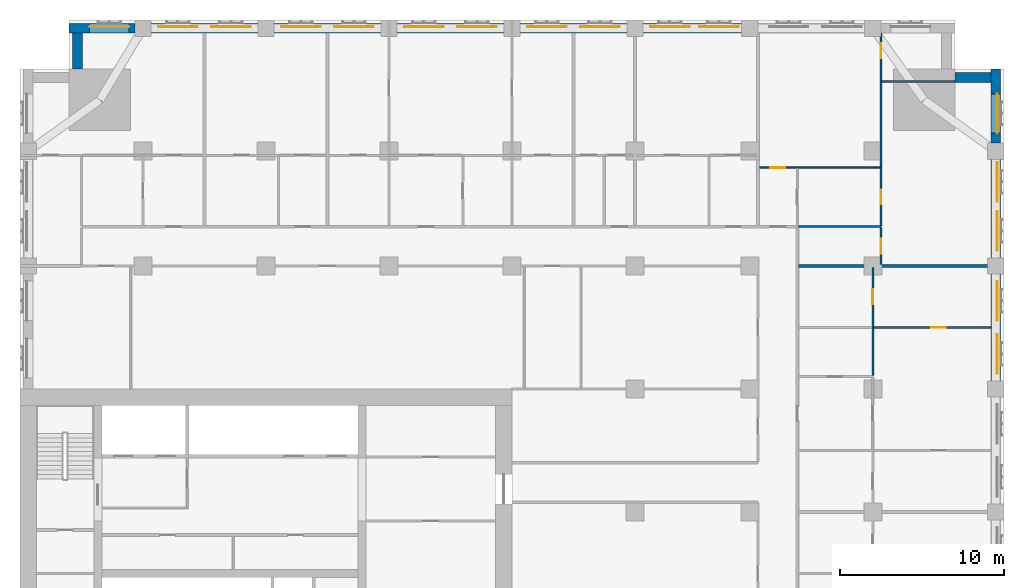
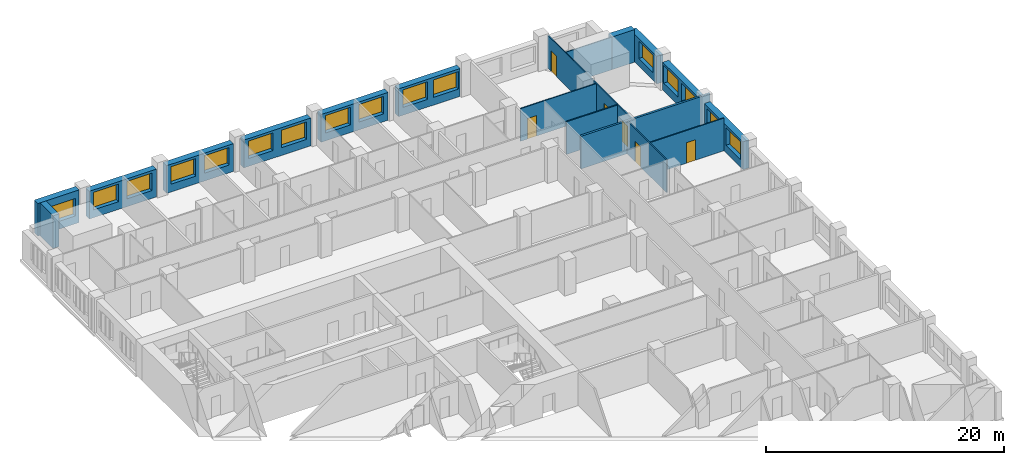
# One storey, part 11 of 14: 19 walls, 16 windows, 6 doors, 22 openings.
"""IFC4 building model written with IfcOpenShell, lengths in metres."""

from ifc_helpers import new_model, si_unit, direction, frame, frame_2d, origin, place, context, subcontext, project, spatial, rectangle, extrude, material, layer, layer_set, type_object, element, fill, save


model = new_model("IFC4")

# Units and contexts
model_context = context("Model", 3, precision=1e-05, world=origin(), true_north=direction((0.0, 1.0)))
body_context = subcontext(model_context, "Body", "Model", "MODEL_VIEW")
ifc_project = project(units=[si_unit("LENGTHUNIT", "METRE"), si_unit("AREAUNIT", "SQUARE_METRE"), si_unit("VOLUMEUNIT", "CUBIC_METRE"), si_unit("PLANEANGLEUNIT", "RADIAN"), si_unit("MASSUNIT", "GRAM", prefix="KILO")], contexts=[model_context])

# Site, building, storey
site_placement = place(None, origin())
site = spatial("IfcSite", under=ifc_project, at=site_placement, CompositionType="ELEMENT")
building_placement = place(site_placement, origin())
building = spatial("IfcBuilding", under=site, at=building_placement, Name="Tamorin Gate", CompositionType="ELEMENT")
storey_placement = place(building_placement, frame((0.0, 0.0, 104.300048828125)))
storey = spatial("IfcBuildingStorey", under=building, at=storey_placement, Name="L25", CompositionType="ELEMENT", Elevation=104.300048828125)

# Wall, openings, windows
ifc_material_1 = material(Name="Precast concrete C40/50", Category="concrete")
ifc_layer_1 = layer(ifc_material_1, 0.60009765625)
ifc_layer_set_1 = layer_set([ifc_layer_1], Name="Precast concrete C40/50")
wall_type_1 = type_object("IfcWallType", Name="Board-marked concrete facade panel 600", PredefinedType="SOLIDWALL", material=ifc_layer_set_1)
wall_1_placement = place(storey_placement, frame((89.5, 83.0, 0.0), z_axis=(0.0, 0.0, 1.0), x_axis=(0.0, 1.0, 0.0)))
wall_1 = element("IfcWall", 1, at=wall_1_placement, inside=storey, type_object=wall_type_1, Name="Facade panel", PredefinedType="SOLIDWALL", context=body_context, shape_type="SweptSolid", body=[
    extrude(rectangle(XDim=6.5, YDim=0.60009765625, at=frame_2d((3.25, 0.0))), origin(), (0.0, 0.0, 1.0), 2.849853515625),
])
opening_1_placement = place(wall_1_placement, frame((0.425048828125, 0.0, 0.800048828125)))
opening_1 = element("IfcOpeningElement", 2, at=opening_1_placement, cuts=wall_1, Name="Opening WN1", PredefinedType="OPENING", context=body_context, shape_type="SweptSolid", body=[
    extrude(rectangle(XDim=2.39990234375, YDim=1.800048828125, at=frame_2d((1.199951171875, 0.89990234375))), frame((0.0, 0.31005859375, 0.0), z_axis=(0.0, -1.0, 0.0), x_axis=(1.0, 0.0, 0.0)), (0.0, 0.0, 1.0), 0.6201171875),
])
opening_2_placement = place(wall_1_placement, frame((3.675048828125, 0.0, 0.800048828125)))
opening_2 = element("IfcOpeningElement", 3, at=opening_2_placement, cuts=wall_1, Name="Opening WN1", PredefinedType="OPENING", context=body_context, shape_type="SweptSolid", body=[
    extrude(rectangle(XDim=2.39990234375, YDim=1.800048828125, at=frame_2d((1.199951171875, 0.89990234375))), frame((0.0, 0.31005859375, 0.0), z_axis=(0.0, -1.0, 0.0), x_axis=(1.0, 0.0, 0.0)), (0.0, 0.0, 1.0), 0.6201171875),
])
ifc_material_2 = material(Name="Clear glass in aluminium frame", Category="aluminium")
window_type = type_object("IfcWindowType", Name="Deep-set window 2400x1800", PartitioningType="SINGLE_PANEL", PredefinedType="WINDOW", material=ifc_material_2)
window_1_placement = place(opening_1_placement, origin())
window_1 = element("IfcWindow", 4, at=window_1_placement, inside=storey, type_object=window_type, Name="Deep-set window", OverallHeight=1.800048828125, OverallWidth=2.39990234375, PartitioningType="SINGLE_PANEL", PredefinedType="WINDOW", context=body_context, shape_type="SweptSolid", body=[
    extrude(rectangle(XDim=2.39990234375, YDim=1.800048828125, at=frame_2d((1.199951171875, 0.89990234375))), frame((0.0, -0.070068359375, 0.0), z_axis=(0.0, -1.0, 0.0), x_axis=(1.0, 0.0, 0.0)), (0.0, 0.0, 1.0), 0.06005859375),
])
fill(opening_1, window_1)
window_2_placement = place(opening_2_placement, origin())
window_2 = element("IfcWindow", 5, at=window_2_placement, inside=storey, type_object=window_type, Name="Deep-set window", OverallHeight=1.800048828125, OverallWidth=2.39990234375, PartitioningType="SINGLE_PANEL", PredefinedType="WINDOW", context=body_context, shape_type="SweptSolid", body=[
    extrude(rectangle(XDim=2.39990234375, YDim=1.800048828125, at=frame_2d((1.199951171875, 0.89990234375))), frame((0.0, -0.070068359375, 0.0), z_axis=(0.0, -1.0, 0.0), x_axis=(1.0, 0.0, 0.0)), (0.0, 0.0, 1.0), 0.06005859375),
])
fill(opening_2, window_2)

wall_2_placement = place(storey_placement, frame((89.5, 90.5, 0.0), z_axis=(0.0, 0.0, 1.0), x_axis=(0.0, 1.0, 0.0)))
wall_2 = element("IfcWall", 6, at=wall_2_placement, inside=storey, type_object=wall_type_1, Name="Facade panel", PredefinedType="SOLIDWALL", context=body_context, shape_type="SweptSolid", body=[
    extrude(rectangle(XDim=6.0, YDim=0.60009765625, at=frame_2d((3.0, 0.0))), origin(), (0.0, 0.0, 1.0), 2.849853515625),
])
opening_3_placement = place(wall_2_placement, frame((0.425048828125, 0.0, 0.800048828125)))
opening_3 = element("IfcOpeningElement", 7, at=opening_3_placement, cuts=wall_2, Name="Opening WN1", PredefinedType="OPENING", context=body_context, shape_type="SweptSolid", body=[
    extrude(rectangle(XDim=2.39990234375, YDim=1.800048828125, at=frame_2d((1.199951171875, 0.89990234375))), frame((0.0, 0.31005859375, 0.0), z_axis=(0.0, -1.0, 0.0), x_axis=(1.0, 0.0, 0.0)), (0.0, 0.0, 1.0), 0.6201171875),
])
opening_4_placement = place(wall_2_placement, frame((3.425048828125, 0.0, 0.800048828125)))
opening_4 = element("IfcOpeningElement", 8, at=opening_4_placement, cuts=wall_2, Name="Opening WN1", PredefinedType="OPENING", context=body_context, shape_type="SweptSolid", body=[
    extrude(rectangle(XDim=2.39990234375, YDim=1.800048828125, at=frame_2d((1.199951171875, 0.89990234375))), frame((0.0, 0.31005859375, 0.0), z_axis=(0.0, -1.0, 0.0), x_axis=(1.0, 0.0, 0.0)), (0.0, 0.0, 1.0), 0.6201171875),
])
window_3_placement = place(opening_3_placement, origin())
window_3 = element("IfcWindow", 9, at=window_3_placement, inside=storey, type_object=window_type, Name="Deep-set window", OverallHeight=1.800048828125, OverallWidth=2.39990234375, PartitioningType="SINGLE_PANEL", PredefinedType="WINDOW", context=body_context, shape_type="SweptSolid", body=[
    extrude(rectangle(XDim=2.39990234375, YDim=1.800048828125, at=frame_2d((1.199951171875, 0.89990234375))), frame((0.0, -0.070068359375, 0.0), z_axis=(0.0, -1.0, 0.0), x_axis=(1.0, 0.0, 0.0)), (0.0, 0.0, 1.0), 0.06005859375),
])
fill(opening_3, window_3)
window_4_placement = place(opening_4_placement, origin())
window_4 = element("IfcWindow", 10, at=window_4_placement, inside=storey, type_object=window_type, Name="Deep-set window", OverallHeight=1.800048828125, OverallWidth=2.39990234375, PartitioningType="SINGLE_PANEL", PredefinedType="WINDOW", context=body_context, shape_type="SweptSolid", body=[
    extrude(rectangle(XDim=2.39990234375, YDim=1.800048828125, at=frame_2d((1.199951171875, 0.89990234375))), frame((0.0, -0.070068359375, 0.0), z_axis=(0.0, -1.0, 0.0), x_axis=(1.0, 0.0, 0.0)), (0.0, 0.0, 1.0), 0.06005859375),
])
fill(opening_4, window_4)

# Wall, opening, window
wall_3_placement = place(storey_placement, frame((89.5, 97.5, 0.0), z_axis=(0.0, 0.0, 1.0), x_axis=(0.0, 1.0, 0.0)))
wall_3 = element("IfcWall", 11, at=wall_3_placement, inside=storey, type_object=wall_type_1, Name="Facade panel", PredefinedType="SOLIDWALL", context=body_context, shape_type="SweptSolid", body=[
    extrude(rectangle(XDim=4.5, YDim=0.60009765625, at=frame_2d((2.25, 0.0))), origin(), (0.0, 0.0, 1.0), 2.849853515625),
])
opening_5_placement = place(wall_3_placement, frame((0.60009765625, 0.0, 0.800048828125)))
opening_5 = element("IfcOpeningElement", 12, at=opening_5_placement, cuts=wall_3, Name="Opening WN1", PredefinedType="OPENING", context=body_context, shape_type="SweptSolid", body=[
    extrude(rectangle(XDim=2.39990234375, YDim=1.800048828125, at=frame_2d((1.199951171875, 0.89990234375))), frame((0.0, 0.31005859375, 0.0), z_axis=(0.0, -1.0, 0.0), x_axis=(1.0, 0.0, 0.0)), (0.0, 0.0, 1.0), 0.6201171875),
])
window_5_placement = place(opening_5_placement, origin())
window_5 = element("IfcWindow", 13, at=window_5_placement, inside=storey, type_object=window_type, Name="Deep-set window", OverallHeight=1.800048828125, OverallWidth=2.39990234375, PartitioningType="SINGLE_PANEL", PredefinedType="WINDOW", context=body_context, shape_type="SweptSolid", body=[
    extrude(rectangle(XDim=2.39990234375, YDim=1.800048828125, at=frame_2d((1.199951171875, 0.89990234375))), frame((0.0, -0.070068359375, 0.0), z_axis=(0.0, -1.0, 0.0), x_axis=(1.0, 0.0, 0.0)), (0.0, 0.0, 1.0), 0.06005859375),
])
fill(opening_5, window_5)

# Wall
wall_4_placement = place(storey_placement, frame((89.199951171875, 101.5, 0.0), z_axis=(0.0, 0.0, 1.0), x_axis=(-1.0, 0.0, 0.0)))
element("IfcWall", 14, at=wall_4_placement, inside=storey, type_object=wall_type_1, Name="Facade panel", PredefinedType="SOLIDWALL", context=body_context, shape_type="SweptSolid", body=[
    extrude(rectangle(XDim=2.199951171875, YDim=0.60009765625, at=frame_2d((1.10009765625, 0.0))), origin(), (0.0, 0.0, 1.0), 3.349853515625),
])

# Wall, openings, windows
wall_5_placement = place(storey_placement, frame((74.0, 104.5, 0.0), z_axis=(0.0, 0.0, 1.0), x_axis=(-1.0, 0.0, 0.0)))
wall_5 = element("IfcWall", 15, at=wall_5_placement, inside=storey, type_object=wall_type_1, Name="Facade panel", PredefinedType="SOLIDWALL", context=body_context, shape_type="SweptSolid", body=[
    extrude(rectangle(XDim=6.0, YDim=0.60009765625, at=frame_2d((3.0, 0.0))), origin(), (0.0, 0.0, 1.0), 2.849853515625),
])
opening_6_placement = place(wall_5_placement, frame((3.175048828125, 0.0, 0.800048828125)))
opening_6 = element("IfcOpeningElement", 16, at=opening_6_placement, cuts=wall_5, Name="Opening WN1", PredefinedType="OPENING", context=body_context, shape_type="SweptSolid", body=[
    extrude(rectangle(XDim=2.39990234375, YDim=1.800048828125, at=frame_2d((1.199951171875, 0.89990234375))), frame((0.0, 0.31005859375, 0.0), z_axis=(0.0, -1.0, 0.0), x_axis=(1.0, 0.0, 0.0)), (0.0, 0.0, 1.0), 0.6201171875),
])
opening_7_placement = place(wall_5_placement, frame((0.175048828125, 0.0, 0.800048828125)))
opening_7 = element("IfcOpeningElement", 17, at=opening_7_placement, cuts=wall_5, Name="Opening WN1", PredefinedType="OPENING", context=body_context, shape_type="SweptSolid", body=[
    extrude(rectangle(XDim=2.39990234375, YDim=1.800048828125, at=frame_2d((1.199951171875, 0.89990234375))), frame((0.0, 0.31005859375, 0.0), z_axis=(0.0, -1.0, 0.0), x_axis=(1.0, 0.0, 0.0)), (0.0, 0.0, 1.0), 0.6201171875),
])
window_6_placement = place(opening_6_placement, origin())
window_6 = element("IfcWindow", 18, at=window_6_placement, inside=storey, type_object=window_type, Name="Deep-set window", OverallHeight=1.800048828125, OverallWidth=2.39990234375, PartitioningType="SINGLE_PANEL", PredefinedType="WINDOW", context=body_context, shape_type="SweptSolid", body=[
    extrude(rectangle(XDim=2.39990234375, YDim=1.800048828125, at=frame_2d((1.199951171875, 0.89990234375))), frame((0.0, -0.070068359375, 0.0), z_axis=(0.0, -1.0, 0.0), x_axis=(1.0, 0.0, 0.0)), (0.0, 0.0, 1.0), 0.06005859375),
])
fill(opening_6, window_6)
window_7_placement = place(opening_7_placement, origin())
window_7 = element("IfcWindow", 19, at=window_7_placement, inside=storey, type_object=window_type, Name="Deep-set window", OverallHeight=1.800048828125, OverallWidth=2.39990234375, PartitioningType="SINGLE_PANEL", PredefinedType="WINDOW", context=body_context, shape_type="SweptSolid", body=[
    extrude(rectangle(XDim=2.39990234375, YDim=1.800048828125, at=frame_2d((1.199951171875, 0.89990234375))), frame((0.0, -0.070068359375, 0.0), z_axis=(0.0, -1.0, 0.0), x_axis=(1.0, 0.0, 0.0)), (0.0, 0.0, 1.0), 0.06005859375),
])
fill(opening_7, window_7)

wall_6_placement = place(storey_placement, frame((67.0, 104.5, 0.0), z_axis=(0.0, 0.0, 1.0), x_axis=(-1.0, 0.0, 0.0)))
wall_6 = element("IfcWall", 20, at=wall_6_placement, inside=storey, type_object=wall_type_1, Name="Facade panel", PredefinedType="SOLIDWALL", context=body_context, shape_type="SweptSolid", body=[
    extrude(rectangle(XDim=6.5, YDim=0.60009765625, at=frame_2d((3.25, 0.0))), origin(), (0.0, 0.0, 1.0), 2.849853515625),
])
opening_8_placement = place(wall_6_placement, frame((3.675048828125, 0.0, 0.800048828125)))
opening_8 = element("IfcOpeningElement", 21, at=opening_8_placement, cuts=wall_6, Name="Opening WN1", PredefinedType="OPENING", context=body_context, shape_type="SweptSolid", body=[
    extrude(rectangle(XDim=2.39990234375, YDim=1.800048828125, at=frame_2d((1.199951171875, 0.89990234375))), frame((0.0, 0.31005859375, 0.0), z_axis=(0.0, -1.0, 0.0), x_axis=(1.0, 0.0, 0.0)), (0.0, 0.0, 1.0), 0.6201171875),
])
opening_9_placement = place(wall_6_placement, frame((0.425048828125, 0.0, 0.800048828125)))
opening_9 = element("IfcOpeningElement", 22, at=opening_9_placement, cuts=wall_6, Name="Opening WN1", PredefinedType="OPENING", context=body_context, shape_type="SweptSolid", body=[
    extrude(rectangle(XDim=2.39990234375, YDim=1.800048828125, at=frame_2d((1.199951171875, 0.89990234375))), frame((0.0, 0.31005859375, 0.0), z_axis=(0.0, -1.0, 0.0), x_axis=(1.0, 0.0, 0.0)), (0.0, 0.0, 1.0), 0.6201171875),
])
window_8_placement = place(opening_8_placement, origin())
window_8 = element("IfcWindow", 23, at=window_8_placement, inside=storey, type_object=window_type, Name="Deep-set window", OverallHeight=1.800048828125, OverallWidth=2.39990234375, PartitioningType="SINGLE_PANEL", PredefinedType="WINDOW", context=body_context, shape_type="SweptSolid", body=[
    extrude(rectangle(XDim=2.39990234375, YDim=1.800048828125, at=frame_2d((1.199951171875, 0.89990234375))), frame((0.0, -0.070068359375, 0.0), z_axis=(0.0, -1.0, 0.0), x_axis=(1.0, 0.0, 0.0)), (0.0, 0.0, 1.0), 0.06005859375),
])
fill(opening_8, window_8)
window_9_placement = place(opening_9_placement, origin())
window_9 = element("IfcWindow", 24, at=window_9_placement, inside=storey, type_object=window_type, Name="Deep-set window", OverallHeight=1.800048828125, OverallWidth=2.39990234375, PartitioningType="SINGLE_PANEL", PredefinedType="WINDOW", context=body_context, shape_type="SweptSolid", body=[
    extrude(rectangle(XDim=2.39990234375, YDim=1.800048828125, at=frame_2d((1.199951171875, 0.89990234375))), frame((0.0, -0.070068359375, 0.0), z_axis=(0.0, -1.0, 0.0), x_axis=(1.0, 0.0, 0.0)), (0.0, 0.0, 1.0), 0.06005859375),
])
fill(opening_9, window_9)

wall_7_placement = place(storey_placement, frame((59.5, 104.5, 0.0), z_axis=(0.0, 0.0, 1.0), x_axis=(-1.0, 0.0, 0.0)))
wall_7 = element("IfcWall", 25, at=wall_7_placement, inside=storey, type_object=wall_type_1, Name="Facade panel", PredefinedType="SOLIDWALL", context=body_context, shape_type="SweptSolid", body=[
    extrude(rectangle(XDim=6.5, YDim=0.60009765625, at=frame_2d((3.25, 0.0))), origin(), (0.0, 0.0, 1.0), 2.849853515625),
])
opening_10_placement = place(wall_7_placement, frame((3.675048828125, 0.0, 0.800048828125)))
opening_10 = element("IfcOpeningElement", 26, at=opening_10_placement, cuts=wall_7, Name="Opening WN1", PredefinedType="OPENING", context=body_context, shape_type="SweptSolid", body=[
    extrude(rectangle(XDim=2.39990234375, YDim=1.800048828125, at=frame_2d((1.199951171875, 0.89990234375))), frame((0.0, 0.31005859375, 0.0), z_axis=(0.0, -1.0, 0.0), x_axis=(1.0, 0.0, 0.0)), (0.0, 0.0, 1.0), 0.6201171875),
])
opening_11_placement = place(wall_7_placement, frame((0.425048828125, 0.0, 0.800048828125)))
opening_11 = element("IfcOpeningElement", 27, at=opening_11_placement, cuts=wall_7, Name="Opening WN1", PredefinedType="OPENING", context=body_context, shape_type="SweptSolid", body=[
    extrude(rectangle(XDim=2.39990234375, YDim=1.800048828125, at=frame_2d((1.199951171875, 0.89990234375))), frame((0.0, 0.31005859375, 0.0), z_axis=(0.0, -1.0, 0.0), x_axis=(1.0, 0.0, 0.0)), (0.0, 0.0, 1.0), 0.6201171875),
])
window_10_placement = place(opening_10_placement, origin())
window_10 = element("IfcWindow", 28, at=window_10_placement, inside=storey, type_object=window_type, Name="Deep-set window", OverallHeight=1.800048828125, OverallWidth=2.39990234375, PartitioningType="SINGLE_PANEL", PredefinedType="WINDOW", context=body_context, shape_type="SweptSolid", body=[
    extrude(rectangle(XDim=2.39990234375, YDim=1.800048828125, at=frame_2d((1.199951171875, 0.89990234375))), frame((0.0, -0.070068359375, 0.0), z_axis=(0.0, -1.0, 0.0), x_axis=(1.0, 0.0, 0.0)), (0.0, 0.0, 1.0), 0.06005859375),
])
fill(opening_10, window_10)
window_11_placement = place(opening_11_placement, origin())
window_11 = element("IfcWindow", 29, at=window_11_placement, inside=storey, type_object=window_type, Name="Deep-set window", OverallHeight=1.800048828125, OverallWidth=2.39990234375, PartitioningType="SINGLE_PANEL", PredefinedType="WINDOW", context=body_context, shape_type="SweptSolid", body=[
    extrude(rectangle(XDim=2.39990234375, YDim=1.800048828125, at=frame_2d((1.199951171875, 0.89990234375))), frame((0.0, -0.070068359375, 0.0), z_axis=(0.0, -1.0, 0.0), x_axis=(1.0, 0.0, 0.0)), (0.0, 0.0, 1.0), 0.06005859375),
])
fill(opening_11, window_11)

wall_8_placement = place(storey_placement, frame((52.0, 104.5, 0.0), z_axis=(0.0, 0.0, 1.0), x_axis=(-1.0, 0.0, 0.0)))
wall_8 = element("IfcWall", 30, at=wall_8_placement, inside=storey, type_object=wall_type_1, Name="Facade panel", PredefinedType="SOLIDWALL", context=body_context, shape_type="SweptSolid", body=[
    extrude(rectangle(XDim=6.5, YDim=0.60009765625, at=frame_2d((3.25, 0.0))), origin(), (0.0, 0.0, 1.0), 2.849853515625),
])
opening_12_placement = place(wall_8_placement, frame((3.675048828125, 0.0, 0.800048828125)))
opening_12 = element("IfcOpeningElement", 31, at=opening_12_placement, cuts=wall_8, Name="Opening WN1", PredefinedType="OPENING", context=body_context, shape_type="SweptSolid", body=[
    extrude(rectangle(XDim=2.39990234375, YDim=1.800048828125, at=frame_2d((1.199951171875, 0.89990234375))), frame((0.0, 0.31005859375, 0.0), z_axis=(0.0, -1.0, 0.0), x_axis=(1.0, 0.0, 0.0)), (0.0, 0.0, 1.0), 0.6201171875),
])
opening_13_placement = place(wall_8_placement, frame((0.425048828125, 0.0, 0.800048828125)))
opening_13 = element("IfcOpeningElement", 32, at=opening_13_placement, cuts=wall_8, Name="Opening WN1", PredefinedType="OPENING", context=body_context, shape_type="SweptSolid", body=[
    extrude(rectangle(XDim=2.39990234375, YDim=1.800048828125, at=frame_2d((1.199951171875, 0.89990234375))), frame((0.0, 0.31005859375, 0.0), z_axis=(0.0, -1.0, 0.0), x_axis=(1.0, 0.0, 0.0)), (0.0, 0.0, 1.0), 0.6201171875),
])
window_12_placement = place(opening_12_placement, origin())
window_12 = element("IfcWindow", 33, at=window_12_placement, inside=storey, type_object=window_type, Name="Deep-set window", OverallHeight=1.800048828125, OverallWidth=2.39990234375, PartitioningType="SINGLE_PANEL", PredefinedType="WINDOW", context=body_context, shape_type="SweptSolid", body=[
    extrude(rectangle(XDim=2.39990234375, YDim=1.800048828125, at=frame_2d((1.199951171875, 0.89990234375))), frame((0.0, -0.070068359375, 0.0), z_axis=(0.0, -1.0, 0.0), x_axis=(1.0, 0.0, 0.0)), (0.0, 0.0, 1.0), 0.06005859375),
])
fill(opening_12, window_12)
window_13_placement = place(opening_13_placement, origin())
window_13 = element("IfcWindow", 34, at=window_13_placement, inside=storey, type_object=window_type, Name="Deep-set window", OverallHeight=1.800048828125, OverallWidth=2.39990234375, PartitioningType="SINGLE_PANEL", PredefinedType="WINDOW", context=body_context, shape_type="SweptSolid", body=[
    extrude(rectangle(XDim=2.39990234375, YDim=1.800048828125, at=frame_2d((1.199951171875, 0.89990234375))), frame((0.0, -0.070068359375, 0.0), z_axis=(0.0, -1.0, 0.0), x_axis=(1.0, 0.0, 0.0)), (0.0, 0.0, 1.0), 0.06005859375),
])
fill(opening_13, window_13)

wall_9_placement = place(storey_placement, frame((44.5, 104.5, 0.0), z_axis=(0.0, 0.0, 1.0), x_axis=(-1.0, 0.0, 0.0)))
wall_9 = element("IfcWall", 35, at=wall_9_placement, inside=storey, type_object=wall_type_1, Name="Facade panel", PredefinedType="SOLIDWALL", context=body_context, shape_type="SweptSolid", body=[
    extrude(rectangle(XDim=6.5, YDim=0.60009765625, at=frame_2d((3.25, 0.0))), origin(), (0.0, 0.0, 1.0), 2.849853515625),
])
opening_14_placement = place(wall_9_placement, frame((3.675048828125, 0.0, 0.800048828125)))
opening_14 = element("IfcOpeningElement", 36, at=opening_14_placement, cuts=wall_9, Name="Opening WN1", PredefinedType="OPENING", context=body_context, shape_type="SweptSolid", body=[
    extrude(rectangle(XDim=2.39990234375, YDim=1.800048828125, at=frame_2d((1.199951171875, 0.89990234375))), frame((0.0, 0.31005859375, 0.0), z_axis=(0.0, -1.0, 0.0), x_axis=(1.0, 0.0, 0.0)), (0.0, 0.0, 1.0), 0.6201171875),
])
opening_15_placement = place(wall_9_placement, frame((0.425048828125, 0.0, 0.800048828125)))
opening_15 = element("IfcOpeningElement", 37, at=opening_15_placement, cuts=wall_9, Name="Opening WN1", PredefinedType="OPENING", context=body_context, shape_type="SweptSolid", body=[
    extrude(rectangle(XDim=2.39990234375, YDim=1.800048828125, at=frame_2d((1.199951171875, 0.89990234375))), frame((0.0, 0.31005859375, 0.0), z_axis=(0.0, -1.0, 0.0), x_axis=(1.0, 0.0, 0.0)), (0.0, 0.0, 1.0), 0.6201171875),
])
window_14_placement = place(opening_14_placement, origin())
window_14 = element("IfcWindow", 38, at=window_14_placement, inside=storey, type_object=window_type, Name="Deep-set window", OverallHeight=1.800048828125, OverallWidth=2.39990234375, PartitioningType="SINGLE_PANEL", PredefinedType="WINDOW", context=body_context, shape_type="SweptSolid", body=[
    extrude(rectangle(XDim=2.39990234375, YDim=1.800048828125, at=frame_2d((1.199951171875, 0.89990234375))), frame((0.0, -0.070068359375, 0.0), z_axis=(0.0, -1.0, 0.0), x_axis=(1.0, 0.0, 0.0)), (0.0, 0.0, 1.0), 0.06005859375),
])
fill(opening_14, window_14)
window_15_placement = place(opening_15_placement, origin())
window_15 = element("IfcWindow", 39, at=window_15_placement, inside=storey, type_object=window_type, Name="Deep-set window", OverallHeight=1.800048828125, OverallWidth=2.39990234375, PartitioningType="SINGLE_PANEL", PredefinedType="WINDOW", context=body_context, shape_type="SweptSolid", body=[
    extrude(rectangle(XDim=2.39990234375, YDim=1.800048828125, at=frame_2d((1.199951171875, 0.89990234375))), frame((0.0, -0.070068359375, 0.0), z_axis=(0.0, -1.0, 0.0), x_axis=(1.0, 0.0, 0.0)), (0.0, 0.0, 1.0), 0.06005859375),
])
fill(opening_15, window_15)

# Wall, opening, window
wall_10_placement = place(storey_placement, frame((37.0, 104.5, 0.0), z_axis=(0.0, 0.0, 1.0), x_axis=(-1.0, 0.0, 0.0)))
wall_10 = element("IfcWall", 40, at=wall_10_placement, inside=storey, type_object=wall_type_1, Name="Facade panel", PredefinedType="SOLIDWALL", context=body_context, shape_type="SweptSolid", body=[
    extrude(rectangle(XDim=4.0, YDim=0.60009765625, at=frame_2d((2.0, 0.0))), origin(), (0.0, 0.0, 1.0), 3.349853515625),
])
opening_16_placement = place(wall_10_placement, frame((0.35009765625, 0.0, 0.800048828125)))
opening_16 = element("IfcOpeningElement", 41, at=opening_16_placement, cuts=wall_10, Name="Opening WN1", PredefinedType="OPENING", context=body_context, shape_type="SweptSolid", body=[
    extrude(rectangle(XDim=2.39990234375, YDim=1.800048828125, at=frame_2d((1.199951171875, 0.89990234375))), frame((0.0, 0.31005859375, 0.0), z_axis=(0.0, -1.0, 0.0), x_axis=(1.0, 0.0, 0.0)), (0.0, 0.0, 1.0), 0.6201171875),
])
window_16_placement = place(opening_16_placement, origin())
window_16 = element("IfcWindow", 42, at=window_16_placement, inside=storey, type_object=window_type, Name="Deep-set window", OverallHeight=1.800048828125, OverallWidth=2.39990234375, PartitioningType="SINGLE_PANEL", PredefinedType="WINDOW", context=body_context, shape_type="SweptSolid", body=[
    extrude(rectangle(XDim=2.39990234375, YDim=1.800048828125, at=frame_2d((1.199951171875, 0.89990234375))), frame((0.0, -0.070068359375, 0.0), z_axis=(0.0, -1.0, 0.0), x_axis=(1.0, 0.0, 0.0)), (0.0, 0.0, 1.0), 0.06005859375),
])
fill(opening_16, window_16)

# Walls
wall_11_placement = place(storey_placement, frame((33.5, 104.199951171875, 0.0), z_axis=(0.0, 0.0, 1.0), x_axis=(0.0, -1.0, 0.0)))
element("IfcWall", 43, at=wall_11_placement, inside=storey, type_object=wall_type_1, Name="Facade panel", PredefinedType="SOLIDWALL", context=body_context, shape_type="SweptSolid", body=[
    extrude(rectangle(XDim=2.199951171875, YDim=0.60009765625, at=frame_2d((1.10009765625, 0.0))), origin(), (0.0, 0.0, 1.0), 3.349853515625),
])
ifc_material_3 = material(Name="Gypsum board partition")
ifc_layer_2 = layer(ifc_material_3, 0.199951171875)
ifc_layer_set_2 = layer_set([ifc_layer_2], Name="Demising wall 200")
wall_type_2 = type_object("IfcWallType", Name="Demising wall 200", PredefinedType="PARTITIONING", material=ifc_layer_set_2)
wall_12_placement = place(storey_placement, frame((77.47509765625, 90.0, 0.0), z_axis=(0.0, 0.0, 1.0), x_axis=(1.0, 0.0, 0.0)))
element("IfcWall", 44, at=wall_12_placement, inside=storey, type_object=wall_type_2, Name="Demising wall 200", PredefinedType="PARTITIONING", context=body_context, shape_type="SweptSolid", body=[
    extrude(rectangle(XDim=12.52490234375, YDim=0.199951171875, at=frame_2d((6.262451171875, 0.0))), origin(), (0.0, 0.0, 1.0), 3.349853515625),
])

# Wall, opening, door
ifc_layer_3 = layer(ifc_material_3, 0.10009765625)
ifc_layer_set_3 = layer_set([ifc_layer_3], Name="Room partition 100")
wall_type_3 = type_object("IfcWallType", Name="Room partition 100", PredefinedType="PARTITIONING", material=ifc_layer_set_3)
wall_13_placement = place(storey_placement, frame((82.0625, 86.25, 0.0), z_axis=(0.0, 0.0, 1.0), x_axis=(1.0, 0.0, 0.0)))
wall_13 = element("IfcWall", 45, at=wall_13_placement, inside=storey, type_object=wall_type_3, Name="Room partition 100", PredefinedType="PARTITIONING", context=body_context, shape_type="SweptSolid", body=[
    extrude(rectangle(XDim=7.12744140625, YDim=0.10009765625, at=frame_2d((3.563720703125, 0.0))), origin(), (0.0, 0.0, 1.0), 3.349853515625),
])
opening_17_placement = place(wall_13_placement, frame((3.487548828125, 0.0, 0.0)))
opening_17 = element("IfcOpeningElement", 46, at=opening_17_placement, cuts=wall_13, Name="Opening DH8059", PredefinedType="OPENING", context=body_context, shape_type="SweptSolid", body=[
    extrude(rectangle(XDim=0.89990234375, YDim=2.10009765625, at=frame_2d((0.449951171875, 1.050048828125))), frame((0.0, 0.06005859375, 0.0), z_axis=(0.0, -1.0, 0.0), x_axis=(1.0, 0.0, 0.0)), (0.0, 0.0, 1.0), 0.1201171875),
])
ifc_material_4 = material(Name="Timber door leaf", Category="wood")
door_type = type_object("IfcDoorType", Name="Door 900 x 2100", OperationType="NOTDEFINED", PredefinedType="DOOR", material=ifc_material_4)
door_1_placement = place(opening_17_placement, origin())
door_1 = element("IfcDoor", 47, at=door_1_placement, inside=storey, type_object=door_type, Name="Door DH8059", OperationType="SINGLE_SWING_RIGHT", OverallHeight=2.10009765625, OverallWidth=0.89990234375, PredefinedType="DOOR", context=body_context, shape_type="SweptSolid", body=[
    extrude(rectangle(XDim=0.89990234375, YDim=2.10009765625, at=frame_2d((0.449951171875, 1.050048828125))), frame((0.0, 0.02490234375, 0.0), z_axis=(0.0, -1.0, 0.0), x_axis=(1.0, 0.0, 0.0)), (0.0, 0.0, 1.0), 0.050048828125),
])
fill(opening_17, door_1)

wall_14_placement = place(storey_placement, frame((75.10009765625, 96.0, 0.0), z_axis=(0.0, 0.0, 1.0), x_axis=(1.0, 0.0, 0.0)))
wall_14 = element("IfcWall", 48, at=wall_14_placement, inside=storey, type_object=wall_type_3, Name="Room partition 100", PredefinedType="PARTITIONING", context=body_context, shape_type="SweptSolid", body=[
    extrude(rectangle(XDim=7.349853515625, YDim=0.10009765625, at=frame_2d((3.6748046875, 0.0))), origin(), (0.0, 0.0, 1.0), 3.349853515625),
])
opening_18_placement = place(wall_14_placement, frame((0.64990234375, 0.0, 0.0)))
opening_18 = element("IfcOpeningElement", 49, at=opening_18_placement, cuts=wall_14, Name="Opening DH8067", PredefinedType="OPENING", context=body_context, shape_type="SweptSolid", body=[
    extrude(rectangle(XDim=0.89990234375, YDim=2.10009765625, at=frame_2d((0.449951171875, 1.050048828125))), frame((0.0, 0.06005859375, 0.0), z_axis=(0.0, -1.0, 0.0), x_axis=(1.0, 0.0, 0.0)), (0.0, 0.0, 1.0), 0.1201171875),
])
door_2_placement = place(opening_18_placement, origin())
door_2 = element("IfcDoor", 50, at=door_2_placement, inside=storey, type_object=door_type, Name="Door DH8067", OperationType="SINGLE_SWING_LEFT", OverallHeight=2.10009765625, OverallWidth=0.89990234375, PredefinedType="DOOR", context=body_context, shape_type="SweptSolid", body=[
    extrude(rectangle(XDim=0.89990234375, YDim=2.10009765625, at=frame_2d((0.449951171875, 1.050048828125))), frame((0.0, 0.02490234375, 0.0), z_axis=(0.0, -1.0, 0.0), x_axis=(1.0, 0.0, 0.0)), (0.0, 0.0, 1.0), 0.050048828125),
])
fill(opening_18, door_2)

# Wall
wall_15_placement = place(storey_placement, frame((82.550048828125, 101.25, 0.0), z_axis=(0.0, 0.0, 1.0), x_axis=(1.0, 0.0, 0.0)))
element("IfcWall", 51, at=wall_15_placement, inside=storey, type_object=wall_type_3, Name="Room partition 100", PredefinedType="PARTITIONING", context=body_context, shape_type="SweptSolid", body=[
    extrude(rectangle(XDim=4.43994140625, YDim=0.10009765625, at=frame_2d((2.219970703125, 0.0))), origin(), (0.0, 0.0, 1.0), 3.349853515625),
])

# Wall, openings, doors
wall_16_placement = place(storey_placement, frame((82.5, 92.46240234375, 0.0), z_axis=(0.0, 0.0, 1.0), x_axis=(0.0, 1.0, 0.0)))
wall_16 = element("IfcWall", 52, at=wall_16_placement, inside=storey, type_object=wall_type_3, Name="Room partition 100", PredefinedType="PARTITIONING", context=body_context, shape_type="SweptSolid", body=[
    extrude(rectangle(XDim=11.7275390625, YDim=0.10009765625, at=frame_2d((5.86376953125, 0.0))), origin(), (0.0, 0.0, 1.0), 3.349853515625),
])
opening_19_placement = place(wall_16_placement, frame((10.21240234375, 0.0, 0.0)))
opening_19 = element("IfcOpeningElement", 53, at=opening_19_placement, cuts=wall_16, Name="Opening DH8069", PredefinedType="OPENING", context=body_context, shape_type="SweptSolid", body=[
    extrude(rectangle(XDim=0.89990234375, YDim=2.10009765625, at=frame_2d((0.449951171875, 1.050048828125))), frame((0.0, 0.06005859375, 0.0), z_axis=(0.0, -1.0, 0.0), x_axis=(1.0, 0.0, 0.0)), (0.0, 0.0, 1.0), 0.1201171875),
])
opening_20_placement = place(wall_16_placement, frame((1.28759765625, 0.0, 0.0)))
opening_20 = element("IfcOpeningElement", 54, at=opening_20_placement, cuts=wall_16, Name="Opening DH8070", PredefinedType="OPENING", context=body_context, shape_type="SweptSolid", body=[
    extrude(rectangle(XDim=0.89990234375, YDim=2.10009765625, at=frame_2d((0.449951171875, 1.050048828125))), frame((0.0, 0.06005859375, 0.0), z_axis=(0.0, -1.0, 0.0), x_axis=(1.0, 0.0, 0.0)), (0.0, 0.0, 1.0), 0.1201171875),
])
door_3_placement = place(opening_19_placement, origin())
door_3 = element("IfcDoor", 55, at=door_3_placement, inside=storey, type_object=door_type, Name="Door DH8069", OperationType="SINGLE_SWING_LEFT", OverallHeight=2.10009765625, OverallWidth=0.89990234375, PredefinedType="DOOR", context=body_context, shape_type="SweptSolid", body=[
    extrude(rectangle(XDim=0.89990234375, YDim=2.10009765625, at=frame_2d((0.449951171875, 1.050048828125))), frame((0.0, 0.02490234375, 0.0), z_axis=(0.0, -1.0, 0.0), x_axis=(1.0, 0.0, 0.0)), (0.0, 0.0, 1.0), 0.050048828125),
])
fill(opening_19, door_3)
door_4_placement = place(opening_20_placement, origin())
door_4 = element("IfcDoor", 56, at=door_4_placement, inside=storey, type_object=door_type, Name="Door DH8070", OperationType="SINGLE_SWING_RIGHT", OverallHeight=2.10009765625, OverallWidth=0.89990234375, PredefinedType="DOOR", context=body_context, shape_type="SweptSolid", body=[
    extrude(rectangle(XDim=0.89990234375, YDim=2.10009765625, at=frame_2d((0.449951171875, 1.050048828125))), frame((0.0, 0.02490234375, 0.0), z_axis=(0.0, -1.0, 0.0), x_axis=(1.0, 0.0, 0.0)), (0.0, 0.0, 1.0), 0.050048828125),
])
fill(opening_20, door_4)

# Wall
ifc_layer_4 = layer(ifc_material_3, 0.125)
ifc_layer_set_4 = layer_set([ifc_layer_4], Name="Wet wall 125")
wall_type_4 = type_object("IfcWallType", Name="Wet wall 125", PredefinedType="PARTITIONING", material=ifc_layer_set_4)
wall_17_placement = place(storey_placement, frame((77.47509765625, 92.39990234375, 0.0), z_axis=(0.0, 0.0, 1.0), x_axis=(1.0, 0.0, 0.0)))
element("IfcWall", 57, at=wall_17_placement, inside=storey, type_object=wall_type_4, Name="Wet wall 125", PredefinedType="PARTITIONING", context=body_context, shape_type="SweptSolid", body=[
    extrude(rectangle(XDim=5.02490234375, YDim=0.125, at=frame_2d((2.512451171875, 0.0))), origin(), (0.0, 0.0, 1.0), 3.349853515625),
])

# Wall, opening, door
wall_18_placement = place(storey_placement, frame((82.0, 83.3125, 0.0), z_axis=(0.0, 0.0, 1.0), x_axis=(0.0, 1.0, 0.0)))
wall_18 = element("IfcWall", 58, at=wall_18_placement, inside=storey, type_object=wall_type_4, Name="Wet wall 125", PredefinedType="PARTITIONING", context=body_context, shape_type="SweptSolid", body=[
    extrude(rectangle(XDim=6.58740234375, YDim=0.125, at=frame_2d((3.293701171875, 0.0))), origin(), (0.0, 0.0, 1.0), 3.349853515625),
])
opening_21_placement = place(wall_18_placement, frame((4.362548828125, 0.0, 0.0)))
opening_21 = element("IfcOpeningElement", 59, at=opening_21_placement, cuts=wall_18, Name="Opening DH8057", PredefinedType="OPENING", context=body_context, shape_type="SweptSolid", body=[
    extrude(rectangle(XDim=0.89990234375, YDim=2.10009765625, at=frame_2d((0.449951171875, 1.050048828125))), frame((0.0, 0.072509765625, 0.0), z_axis=(0.0, -1.0, 0.0), x_axis=(1.0, 0.0, 0.0)), (0.0, 0.0, 1.0), 0.14501953125),
])
door_5_placement = place(opening_21_placement, origin())
door_5 = element("IfcDoor", 60, at=door_5_placement, inside=storey, type_object=door_type, Name="Door DH8057", OperationType="SINGLE_SWING_LEFT", OverallHeight=2.10009765625, OverallWidth=0.89990234375, PredefinedType="DOOR", context=body_context, shape_type="SweptSolid", body=[
    extrude(rectangle(XDim=0.89990234375, YDim=2.10009765625, at=frame_2d((0.449951171875, 1.050048828125))), frame((0.0, 0.02490234375, 0.0), z_axis=(0.0, -1.0, 0.0), x_axis=(1.0, 0.0, 0.0)), (0.0, 0.0, 1.0), 0.050048828125),
])
fill(opening_21, door_5)

wall_19_placement = place(storey_placement, frame((82.5, 90.10009765625, 0.0), z_axis=(0.0, 0.0, 1.0), x_axis=(0.0, 1.0, 0.0)))
wall_19 = element("IfcWall", 61, at=wall_19_placement, inside=storey, type_object=wall_type_4, Name="Wet wall 125", PredefinedType="PARTITIONING", context=body_context, shape_type="SweptSolid", body=[
    extrude(rectangle(XDim=2.2373046875, YDim=0.125, at=frame_2d((1.11865234375, 0.0))), origin(), (0.0, 0.0, 1.0), 3.349853515625),
])
opening_22_placement = place(wall_19_placement, frame((0.64990234375, 0.0, 0.0)))
opening_22 = element("IfcOpeningElement", 62, at=opening_22_placement, cuts=wall_19, Name="Opening DH8071", PredefinedType="OPENING", context=body_context, shape_type="SweptSolid", body=[
    extrude(rectangle(XDim=0.89990234375, YDim=2.10009765625, at=frame_2d((0.449951171875, 1.050048828125))), frame((0.0, 0.072509765625, 0.0), z_axis=(0.0, -1.0, 0.0), x_axis=(1.0, 0.0, 0.0)), (0.0, 0.0, 1.0), 0.14501953125),
])
door_6_placement = place(opening_22_placement, origin())
door_6 = element("IfcDoor", 63, at=door_6_placement, inside=storey, type_object=door_type, Name="Door DH8071", OperationType="SINGLE_SWING_LEFT", OverallHeight=2.10009765625, OverallWidth=0.89990234375, PredefinedType="DOOR", context=body_context, shape_type="SweptSolid", body=[
    extrude(rectangle(XDim=0.89990234375, YDim=2.10009765625, at=frame_2d((0.449951171875, 1.050048828125))), frame((0.0, 0.02490234375, 0.0), z_axis=(0.0, -1.0, 0.0), x_axis=(1.0, 0.0, 0.0)), (0.0, 0.0, 1.0), 0.050048828125),
])
fill(opening_22, door_6)

save(model, "model.ifc")
